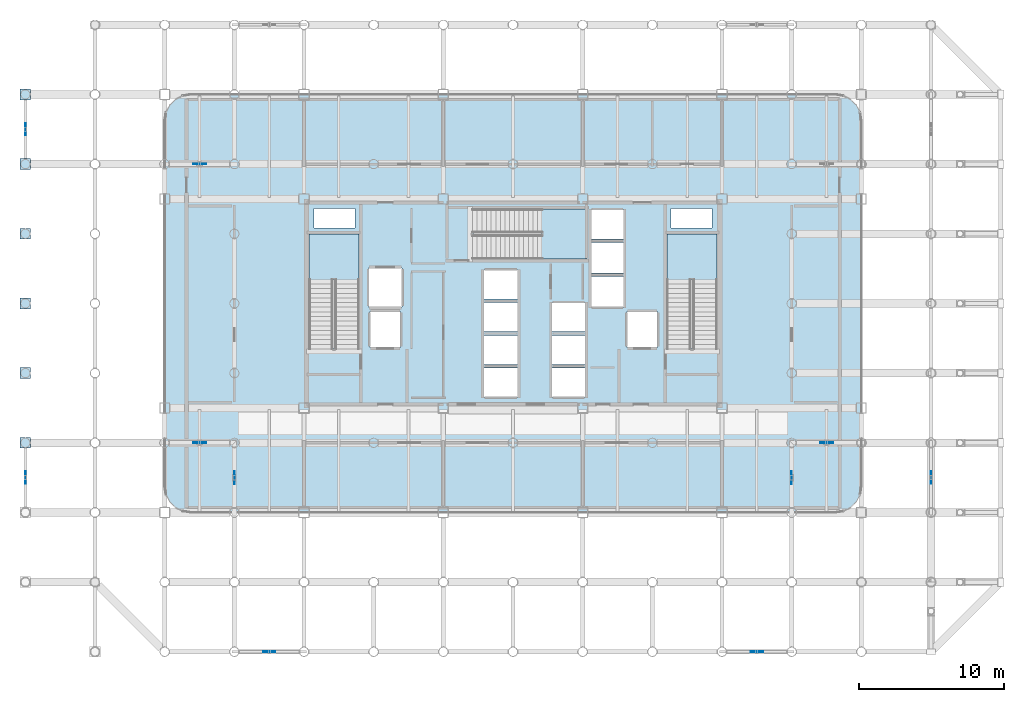
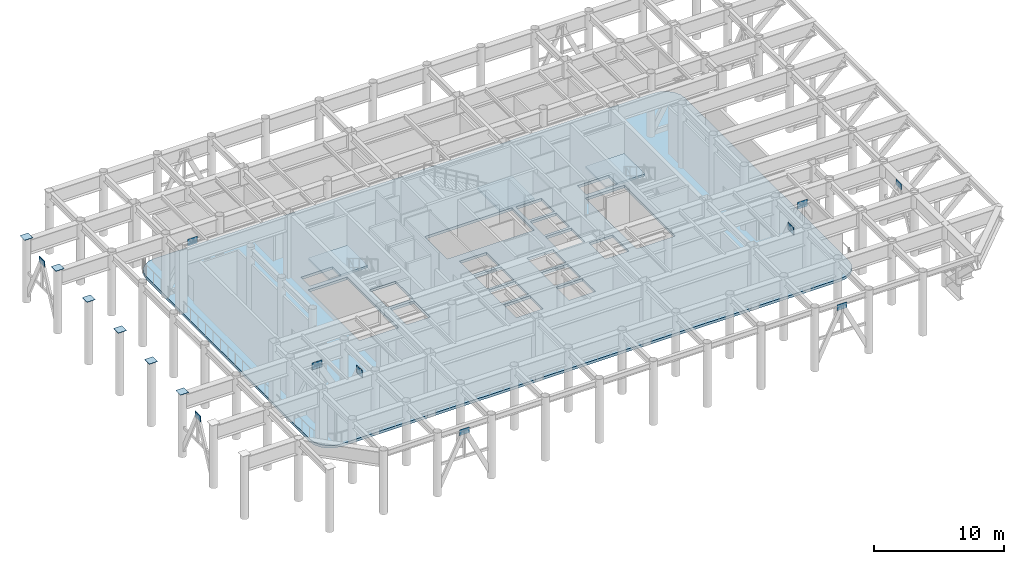
# One storey, part 13 of 20: 16 plates, 4 slabs, 3 elements without a shape of their own.
"""IFC4 building model written with IfcOpenShell, lengths in metres."""

from ifc_helpers import new_model, si_unit, direction, frame, origin, origin_2d, place, context, subcontext, project, spatial, polyline, rectangle, outline, extrude, material, layer, layer_set, type_object, element, aggregate, save


model = new_model("IFC4")

# Units and contexts
model_context = context("Model", 3, precision=1e-05, world=origin(), true_north=direction((0.0, 1.0)))
body_context = subcontext(model_context, "Body", "Model", "MODEL_VIEW")
ifc_project = project(units=[si_unit("LENGTHUNIT", "METRE"), si_unit("AREAUNIT", "SQUARE_METRE"), si_unit("VOLUMEUNIT", "CUBIC_METRE"), si_unit("PLANEANGLEUNIT", "RADIAN"), si_unit("MASSUNIT", "GRAM", prefix="KILO")], contexts=[model_context])

# Site, building, storey
site_placement = place(None, origin())
site = spatial("IfcSite", under=ifc_project, at=site_placement, CompositionType="ELEMENT")
building_placement = place(site_placement, origin())
building = spatial("IfcBuilding", under=site, at=building_placement, Name="Kallvorn Hotel Tower", CompositionType="ELEMENT")
storey_placement = place(building_placement, frame((0.0, 0.0, 185.5)))
storey = spatial("IfcBuildingStorey", under=building, at=storey_placement, Name="L46", CompositionType="ELEMENT", Elevation=185.5)

# Plates
ifc_material_1 = material(Name="Structural steel S355JR", Category="steel")
ifc_layer_1 = layer(ifc_material_1, 0.030029296875)
ifc_layer_set_1 = layer_set([ifc_layer_1], Name="PLT_CAP_30")
plate_type_1 = type_object("IfcPlateType", Name="PLT_CAP_30", PredefinedType="SHEET", material=ifc_layer_set_1)
for number, where, z_axis, x_axis, name in (
    (1, (-33.60009765625, -9.60009765625, 6.0), (0.0, 0.0, 1.0), (1.0, 0.0, 0.0), "L46 Hollow Column Top End Cap Plate 0227"),
    (2, (-33.60009765625, -4.800048828125, 6.0), (0.0, 0.0, 1.0), (1.0, 0.0, 0.0), "L46 Hollow Column Top End Cap Plate 0228"),
    (3, (-33.60009765625, 0.0, 6.0), (0.0, 0.0, 1.0), (1.0, 0.0, 0.0), "L46 Hollow Column Top End Cap Plate 0229"),
    (4, (-33.60009765625, 4.800048828125, 6.0), (0.0, 0.0, 1.0), (1.0, 0.0, 0.0), "L46 Hollow Column Top End Cap Plate 0230"),
    (5, (-33.60009765625, 9.60009765625, 6.0), (0.0, 0.0, 1.0), (1.0, 0.0, 0.0), "L46 Hollow Column Top End Cap Plate 0231"),
    (6, (-33.60009765625, 14.39990234375, 6.0), (0.0, 0.0, 1.0), (1.0, 0.0, 0.0), "L46 Hollow Column Top End Cap Plate 0232"),
):
    element("IfcPlate", number, at=place(storey_placement, frame(where, z_axis=z_axis, x_axis=x_axis)), inside=storey, type_object=plate_type_1, Name=name, PredefinedType="SHEET", context=body_context, shape_type="SweptSolid", body=[
        extrude(rectangle(XDim=0.739990234375, YDim=0.739990234375, at=origin_2d()), origin(), (0.0, 0.0, 1.0), 0.030029296875),
    ])
ifc_material_2 = material(Name="Structural steel S355JR", Category="steel")
ifc_layer_2 = layer(ifc_material_2, 0.0400390625)
ifc_layer_set_2 = layer_set([ifc_layer_2], Name="PLT_GUSSET_40")
plate_type_2 = type_object("IfcPlateType", Name="PLT_GUSSET_40", PredefinedType="USERDEFINED", material=ifc_layer_set_2)
for number, where, z_axis, x_axis, name in (
    (7, (-21.60009765625, -9.60009765625, 3.9951171875), (0.0, 0.0, 1.0), (1.0, 0.0, 0.0), "L46 Outrigger Node Gusset Plate OTW1"),
    (8, (21.60009765625, -9.60009765625, 3.9951171875), (0.0, 0.0, 1.0), (1.0, 0.0, 0.0), "L46 Outrigger Node Gusset Plate OTE1"),
    (9, (-21.60009765625, 9.60009765625, 3.9951171875), (0.0, 0.0, 1.0), (1.0, 0.0, 0.0), "L46 Outrigger Node Gusset Plate OTW2"),
    (10, (-19.199951171875, -12.0, 3.9951171875), (0.0, 0.0, 1.0), (0.0, 1.0, 0.0), "L46 Outrigger Node Gusset Plate OTS1"),
    (11, (19.199951171875, -12.0, 3.9951171875), (0.0, 0.0, 1.0), (0.0, 1.0, 0.0), "L46 Outrigger Node Gusset Plate OTS2"),
):
    element("IfcPlate", number, at=place(storey_placement, frame(where, z_axis=z_axis, x_axis=x_axis)), inside=storey, type_object=plate_type_2, Name=name, ObjectType="GUSSET PLATE", PredefinedType="USERDEFINED", context=body_context, shape_type="SweptSolid", body=[
        extrude(rectangle(XDim=0.89990234375, YDim=0.0400390625, at=origin_2d()), origin(), (0.0, 0.0, 1.0), 0.64990234375),
    ])
for number, where, z_axis, x_axis, name in (
    (12, (-16.800048828125, -24.0, 4.84521484375), (0.0, 0.0, 1.0), (1.0, 0.0, 0.0), "L46 Belt Truss Gusset Plate 1"),
    (13, (16.800048828125, -24.0, 4.84521484375), (0.0, 0.0, 1.0), (1.0, 0.0, 0.0), "L46 Belt Truss Gusset Plate 2"),
    (14, (-33.60009765625, -12.0, 4.84521484375), (0.0, 0.0, 1.0), (0.0, 1.0, 0.0), "L46 Belt Truss Gusset Plate 5"),
    (15, (-33.60009765625, 12.0, 4.84521484375), (0.0, 0.0, 1.0), (0.0, 1.0, 0.0), "L46 Belt Truss Gusset Plate 6"),
    (16, (28.800048828125, -12.0, 4.84521484375), (0.0, 0.0, 1.0), (0.0, 1.0, 0.0), "L46 Belt Truss Gusset Plate 7"),
):
    element("IfcPlate", number, at=place(storey_placement, frame(where, z_axis=z_axis, x_axis=x_axis)), inside=storey, type_object=plate_type_2, Name=name, ObjectType="GUSSET PLATE", PredefinedType="USERDEFINED", context=body_context, shape_type="SweptSolid", body=[
        extrude(rectangle(XDim=0.85009765625, YDim=0.0400390625, at=origin_2d()), origin(), (0.0, 0.0, 1.0), 0.550048828125),
    ])

# Stair, slab
ifc_material_3 = material(Name="Precast concrete C40/50", Category="concrete")
stair_type = type_object("IfcStairType", Name="STR_CORE_DOGLEG", PredefinedType="HALF_TURN_STAIR", material=ifc_material_3)
stair_1_placement = place(storey_placement, origin())
stair_1 = element("IfcStair", 17, at=stair_1_placement, inside=storey, type_object=stair_type, Name="L46 Exit stair ST1", PredefinedType="HALF_TURN_STAIR")
ifc_material_4 = material(Name="Precast concrete C40/50", Category="concrete")
ifc_layer_3 = layer(ifc_material_4, 0.179931640625)
ifc_layer_set_3 = layer_set([ifc_layer_3], Name="SLB_LANDING_180")
slab_type_1 = type_object("IfcSlabType", Name="SLB_LANDING_180", PredefinedType="LANDING", material=ifc_layer_set_3)
slab_1_placement = place(storey_placement, frame((0.0, 0.0, 2.800048828125)))
slab_1 = element("IfcSlab", 18, at=slab_1_placement, type_object=slab_type_1, Name="ST1 landing 1", PredefinedType="LANDING", context=body_context, shape_type="SweptSolid", body=[
    extrude(outline(polyline([(-10.60009765625, 1.610107421875), (-10.60009765625, 4.800048828125), (-14.06005859375, 4.800048828125), (-14.06005859375, 1.610107421875), (-10.60009765625, 1.610107421875)])), origin(), (0.0, 0.0, 1.0), 0.199951171875),
])
aggregate(stair_1, [slab_1])

stair_2_placement = place(storey_placement, origin())
stair_2 = element("IfcStair", 19, at=stair_2_placement, inside=storey, type_object=stair_type, Name="L46 Exit stair ST2", PredefinedType="HALF_TURN_STAIR")
slab_2_placement = place(storey_placement, frame((0.0, 0.0, 2.800048828125)))
slab_2 = element("IfcSlab", 20, at=slab_2_placement, type_object=slab_type_1, Name="ST2 landing 1", PredefinedType="LANDING", context=body_context, shape_type="SweptSolid", body=[
    extrude(outline(polyline([(14.06005859375, 1.610107421875), (14.06005859375, 4.800048828125), (10.60009765625, 4.800048828125), (10.60009765625, 1.610107421875), (14.06005859375, 1.610107421875)])), origin(), (0.0, 0.0, 1.0), 0.199951171875),
])
aggregate(stair_2, [slab_2])

stair_3_placement = place(storey_placement, origin())
stair_3 = element("IfcStair", 21, at=stair_3_placement, inside=storey, type_object=stair_type, Name="L46 Exit stair ST3", PredefinedType="HALF_TURN_STAIR")
slab_3_placement = place(storey_placement, frame((0.0, 0.0, 2.800048828125)))
slab_3 = element("IfcSlab", 22, at=slab_3_placement, type_object=slab_type_1, Name="ST3 landing 1", PredefinedType="LANDING", context=body_context, shape_type="SweptSolid", body=[
    extrude(outline(polyline([(1.9599609375, 3.050048828125), (5.050048828125, 3.050048828125), (5.050048828125, 6.510009765625), (1.9599609375, 6.510009765625), (1.9599609375, 3.050048828125)])), origin(), (0.0, 0.0, 1.0), 0.199951171875),
])
aggregate(stair_3, [slab_3])

# Slab
ifc_material_5 = material(Name="Concrete C40/50", Category="concrete")
ifc_layer_4 = layer(ifc_material_5, 0.25)
ifc_layer_set_4 = layer_set([ifc_layer_4], Name="SLB_WIND_250")
slab_type_2 = type_object("IfcSlabType", Name="SLB_WIND_250", PredefinedType="FLOOR", material=ifc_layer_set_4)
slab_4_placement = place(storey_placement, frame((0.0, 0.0, -0.25)))
element("IfcSlab", 23, at=slab_4_placement, inside=storey, type_object=slab_type_2, Name="L46 Structural Floor Slab", PredefinedType="FLOOR", context=body_context, shape_type="SweptSolid", body=[
    extrude(outline(polyline([(22.199951171875, -14.39990234375), (22.756103515625, -14.31201171875), (23.258056640625, -14.05615234375), (23.65625, -13.657958984375), (23.911865234375, -13.15625), (24.0, -12.60009765625), (24.0, 12.60009765625), (23.911865234375, 13.15625), (23.65625, 13.657958984375), (23.258056640625, 14.05615234375), (22.756103515625, 14.31201171875), (22.199951171875, 14.39990234375), (-22.199951171875, 14.39990234375), (-22.756103515625, 14.31201171875), (-23.258056640625, 14.05615234375), (-23.65625, 13.657958984375), (-23.911865234375, 13.15625), (-24.0, 12.60009765625), (-24.0, -12.60009765625), (-23.911865234375, -13.15625), (-23.65625, -13.657958984375), (-23.258056640625, -14.05615234375), (-22.756103515625, -14.31201171875), (-22.199951171875, -14.39990234375), (22.199951171875, -14.39990234375)]), holes=[polyline([(-10.60009765625, -3.070068359375), (-10.60009765625, 4.800048828125), (-14.06005859375, 4.800048828125), (-14.06005859375, -3.070068359375), (-10.60009765625, -3.070068359375)]), polyline([(14.06005859375, -3.070068359375), (14.06005859375, 4.800048828125), (10.60009765625, 4.800048828125), (10.60009765625, -3.070068359375), (14.06005859375, -3.070068359375)]), polyline([(-2.719970703125, 3.050048828125), (5.050048828125, 3.050048828125), (5.050048828125, 6.510009765625), (-2.719970703125, 6.510009765625), (-2.719970703125, 3.050048828125)]), polyline([(-2.050048828125, -6.449951171875), (0.35009765625, -6.449951171875), (0.35009765625, -4.449951171875), (-2.050048828125, -4.449951171875), (-2.050048828125, -6.449951171875)]), polyline([(-2.050048828125, -4.199951171875), (0.35009765625, -4.199951171875), (0.35009765625, -2.199951171875), (-2.050048828125, -2.199951171875), (-2.050048828125, -4.199951171875)]), polyline([(-2.050048828125, -1.949951171875), (0.35009765625, -1.949951171875), (0.35009765625, 0.050048828125), (-2.050048828125, 0.050048828125), (-2.050048828125, -1.949951171875)]), polyline([(-2.050048828125, 0.300048828125), (0.35009765625, 0.300048828125), (0.35009765625, 2.300048828125), (-2.050048828125, 2.300048828125), (-2.050048828125, 0.300048828125)]), polyline([(2.64990234375, -6.449951171875), (5.0, -6.449951171875), (5.0, -4.449951171875), (2.64990234375, -4.449951171875), (2.64990234375, -6.449951171875)]), polyline([(2.64990234375, -4.199951171875), (5.0, -4.199951171875), (5.0, -2.199951171875), (2.64990234375, -2.199951171875), (2.64990234375, -4.199951171875)]), polyline([(2.64990234375, -1.949951171875), (5.0, -1.949951171875), (5.0, 0.050048828125), (2.64990234375, 0.050048828125), (2.64990234375, -1.949951171875)]), polyline([(5.35009765625, -0.25), (7.64990234375, -0.25), (7.64990234375, 1.85009765625), (5.35009765625, 1.85009765625), (5.35009765625, -0.25)]), polyline([(5.35009765625, 2.10009765625), (7.64990234375, 2.10009765625), (7.64990234375, 4.199951171875), (5.35009765625, 4.199951171875), (5.35009765625, 2.10009765625)]), polyline([(5.35009765625, 4.449951171875), (7.64990234375, 4.449951171875), (7.64990234375, 6.449951171875), (5.35009765625, 6.449951171875), (5.35009765625, 4.449951171875)]), polyline([(-9.85009765625, -3.050048828125), (-7.75, -3.050048828125), (-7.75, -0.550048828125), (-9.85009765625, -0.550048828125), (-9.85009765625, -3.050048828125)]), polyline([(7.85009765625, -3.050048828125), (9.949951171875, -3.050048828125), (9.949951171875, -0.550048828125), (7.85009765625, -0.550048828125), (7.85009765625, -3.050048828125)]), polyline([(-9.949951171875, -0.25), (-7.64990234375, -0.25), (-7.64990234375, 2.449951171875), (-9.949951171875, 2.449951171875), (-9.949951171875, -0.25)]), polyline([(-13.699951171875, 5.199951171875), (-10.89990234375, 5.199951171875), (-10.89990234375, 6.550048828125), (-13.699951171875, 6.550048828125), (-13.699951171875, 5.199951171875)]), polyline([(10.89990234375, 5.199951171875), (13.699951171875, 5.199951171875), (13.699951171875, 6.550048828125), (10.89990234375, 6.550048828125), (10.89990234375, 5.199951171875)])]), origin(), (0.0, 0.0, 1.0), 0.25),
])

save(model, "model.ifc")
